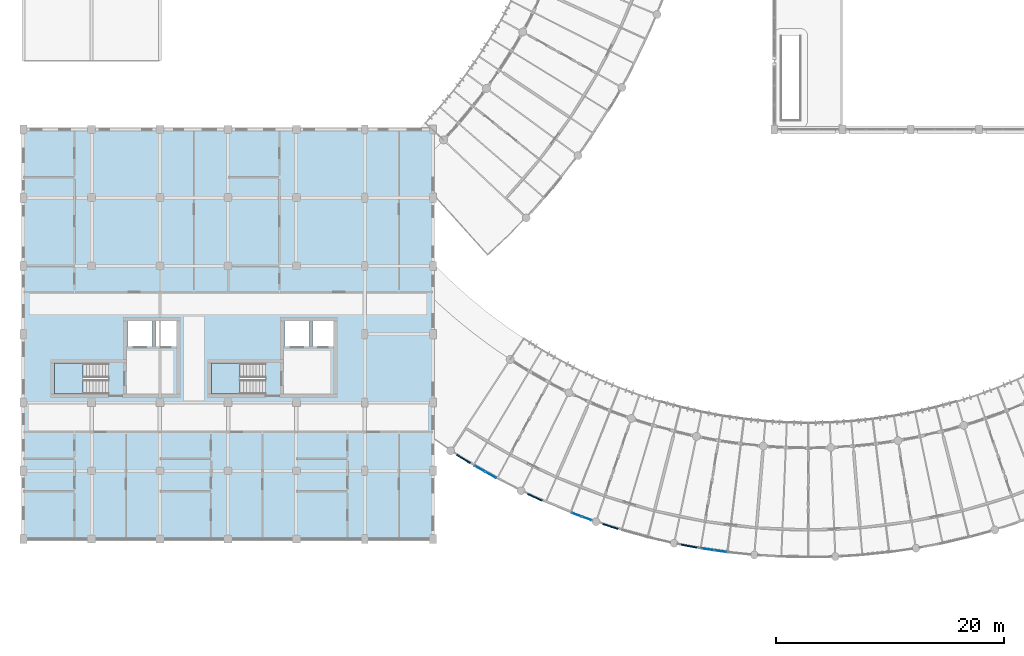
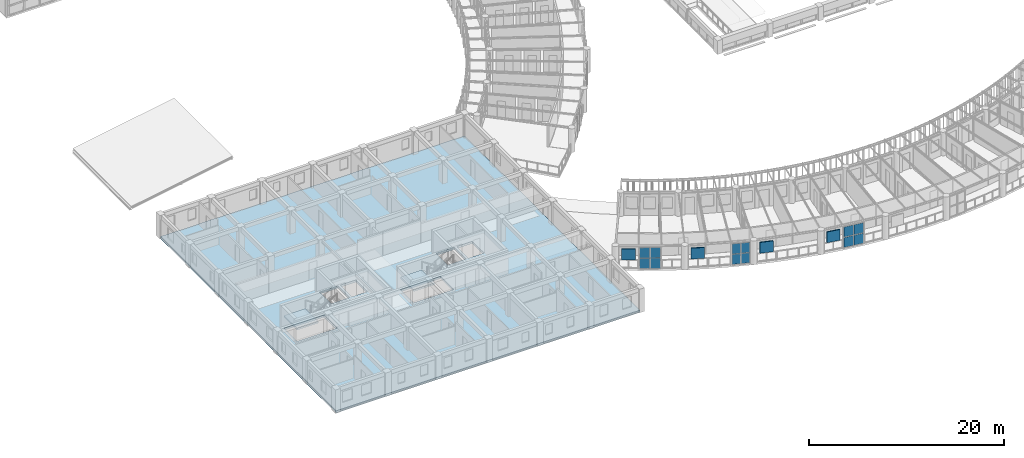
# One storey, part 74 of 137: 16 plates, 3 slabs, 5 elements without a shape of their own.
"""IFC4 building model written with IfcOpenShell, lengths in metres."""

from ifc_helpers import new_model, si_unit, direction, frame, origin, origin_2d, place, context, subcontext, project, spatial, polyline, rectangle, outline, extrude, material, layer, layer_set, type_object, element, aggregate, save


model = new_model("IFC4")

# Units and contexts
model_context = context("Model", 3, precision=1e-05, world=origin(), true_north=direction((0.0, 1.0)))
body_context = subcontext(model_context, "Body", "Model", "MODEL_VIEW")
ifc_project = project(units=[si_unit("LENGTHUNIT", "METRE"), si_unit("AREAUNIT", "SQUARE_METRE"), si_unit("VOLUMEUNIT", "CUBIC_METRE"), si_unit("PLANEANGLEUNIT", "RADIAN"), si_unit("MASSUNIT", "GRAM", prefix="KILO"), si_unit("POWERUNIT", "WATT"), si_unit("THERMODYNAMICTEMPERATUREUNIT", "KELVIN")], contexts=[model_context])

# Site, building, storey
site_placement = place(None, origin())
site = spatial("IfcSite", under=ifc_project, at=site_placement, CompositionType="ELEMENT")
building_placement = place(site_placement, origin())
building = spatial("IfcBuilding", under=site, at=building_placement, Name="Ruvembo Vaulted Housing Court", CompositionType="ELEMENT")
storey_placement = place(building_placement, frame((0.0, 0.0, 4.5)))
storey = spatial("IfcBuildingStorey", under=building, at=storey_placement, Name="L01", CompositionType="ELEMENT", Elevation=4.5)

# Curtain wall, plates
ifc_material_1 = material(Name="Anodised Aluminium and Solar-Control Glass", Category="aluminium")
ifc_layer_1 = layer(ifc_material_1, 0.1201171875, Name="Anodised Aluminium and Solar-Control Glass")
ifc_layer_set_1 = layer_set([ifc_layer_1], Name="Anodised Aluminium and Solar-Control Glass")
curtain_wall_type_1 = type_object("IfcCurtainWallType", Name="CW-SCOOP-GAL", PredefinedType="NOTDEFINED", material=ifc_layer_set_1)
curtain_wall_1_placement = place(storey_placement, origin())
curtain_wall_1 = element("IfcCurtainWall", 1, at=curtain_wall_1_placement, inside=storey, type_object=curtain_wall_type_1, Name="L01 Curtain Wall CW-L01-0030", PredefinedType="NOTDEFINED")
ifc_material_2 = material(Name="Solar-Control Laminated Insulating Glass", Category="glass")
ifc_layer_2 = layer(ifc_material_2, 0.035888671875, Name="Solar-Control Laminated Insulating Glass")
ifc_layer_set_2 = layer_set([ifc_layer_2], Name="Solar-Control Laminated Insulating Glass")
plate_type_1 = type_object("IfcPlateType", Name="CW-PANEL-ACOUST", PredefinedType="CURTAIN_PANEL", material=ifc_layer_set_2)
plate_1_placement = place(storey_placement, frame((48.62841796875, 8.132080078125, 0.06005859375), z_axis=(0.0, 0.0, 1.0), x_axis=(0.939141570025, -0.343530364672, 0.0)))
plate_1 = element("IfcPlate", 2, at=plate_1_placement, type_object=plate_type_1, Name="CW6 panel 1.1", PredefinedType="CURTAIN_PANEL", context=body_context, shape_type="SweptSolid", body=[
    extrude(rectangle(XDim=0.890380859375, YDim=0.035888671875, at=origin_2d()), origin(), (0.0, 0.0, 1.0), 1.259033203125),
])
plate_2_placement = place(storey_placement, frame((48.62841796875, 8.132080078125, 1.37890625), z_axis=(0.0, 0.0, 1.0), x_axis=(0.939141570025, -0.343530364672, 0.0)))
plate_2 = element("IfcPlate", 3, at=plate_2_placement, type_object=plate_type_1, Name="CW6 panel 1.2", PredefinedType="CURTAIN_PANEL", context=body_context, shape_type="SweptSolid", body=[
    extrude(rectangle(XDim=0.890380859375, YDim=0.035888671875, at=origin_2d()), origin(), (0.0, 0.0, 1.0), 1.259033203125),
])
plate_3_placement = place(storey_placement, frame((49.52587890625, 7.803955078125, 0.06005859375), z_axis=(0.0, 0.0, 1.0), x_axis=(0.939141570025, -0.343530364672, 0.0)))
plate_3 = element("IfcPlate", 4, at=plate_3_placement, type_object=plate_type_1, Name="CW6 panel 2.1", PredefinedType="CURTAIN_PANEL", context=body_context, shape_type="SweptSolid", body=[
    extrude(rectangle(XDim=0.890380859375, YDim=0.035888671875, at=origin_2d()), origin(), (0.0, 0.0, 1.0), 1.259033203125),
])
plate_4_placement = place(storey_placement, frame((49.52587890625, 7.803955078125, 1.37890625), z_axis=(0.0, 0.0, 1.0), x_axis=(0.939141570025, -0.343530364672, 0.0)))
plate_4 = element("IfcPlate", 5, at=plate_4_placement, type_object=plate_type_1, Name="CW6 panel 2.2", PredefinedType="CURTAIN_PANEL", context=body_context, shape_type="SweptSolid", body=[
    extrude(rectangle(XDim=0.890380859375, YDim=0.035888671875, at=origin_2d()), origin(), (0.0, 0.0, 1.0), 1.259033203125),
])
aggregate(curtain_wall_1, [plate_1, plate_2, plate_3, plate_4])

curtain_wall_2_placement = place(storey_placement, origin())
curtain_wall_2 = element("IfcCurtainWall", 6, at=curtain_wall_2_placement, inside=storey, type_object=curtain_wall_type_1, Name="L01 Curtain Wall CW-L01-0029", PredefinedType="NOTDEFINED")
ifc_layer_3 = layer(ifc_material_2, 0.028076171875, Name="Solar-Control Laminated Insulating Glass")
ifc_layer_set_3 = layer_set([ifc_layer_3], Name="Solar-Control Laminated Insulating Glass")
plate_type_2 = type_object("IfcPlateType", Name="CW-PANEL-GLAZED", PredefinedType="CURTAIN_PANEL", material=ifc_layer_set_3)
plate_5_placement = place(storey_placement, frame((40.120849609375, 12.173828125, 0.06005859375), z_axis=(0.0, 0.0, 1.0), x_axis=(0.869984489964, -0.493079088202, 0.0)))
plate_5 = element("IfcPlate", 7, at=plate_5_placement, type_object=plate_type_2, Name="CW6 panel 1.1", PredefinedType="CURTAIN_PANEL", context=body_context, shape_type="SweptSolid", body=[
    extrude(rectangle(XDim=1.0478515625, YDim=0.028076171875, at=origin_2d()), origin(), (0.0, 0.0, 1.0), 1.259033203125),
])
plate_6_placement = place(storey_placement, frame((40.120849609375, 12.173828125, 1.37890625), z_axis=(0.0, 0.0, 1.0), x_axis=(0.869984489964, -0.493079088202, 0.0)))
plate_6 = element("IfcPlate", 8, at=plate_6_placement, type_object=plate_type_2, Name="CW6 panel 1.2", PredefinedType="CURTAIN_PANEL", context=body_context, shape_type="SweptSolid", body=[
    extrude(rectangle(XDim=1.0478515625, YDim=0.028076171875, at=origin_2d()), origin(), (0.0, 0.0, 1.0), 1.259033203125),
])
plate_7_placement = place(storey_placement, frame((41.084716796875, 11.62744140625, 0.06005859375), z_axis=(0.0, 0.0, 1.0), x_axis=(0.869984489964, -0.493079088202, 0.0)))
plate_7 = element("IfcPlate", 9, at=plate_7_placement, type_object=plate_type_2, Name="CW6 panel 2.1", PredefinedType="CURTAIN_PANEL", context=body_context, shape_type="SweptSolid", body=[
    extrude(rectangle(XDim=1.0478515625, YDim=0.028076171875, at=origin_2d()), origin(), (0.0, 0.0, 1.0), 1.259033203125),
])
plate_8_placement = place(storey_placement, frame((41.084716796875, 11.62744140625, 1.37890625), z_axis=(0.0, 0.0, 1.0), x_axis=(0.869984489964, -0.493079088202, 0.0)))
plate_8 = element("IfcPlate", 10, at=plate_8_placement, type_object=plate_type_2, Name="CW6 panel 2.2", PredefinedType="CURTAIN_PANEL", context=body_context, shape_type="SweptSolid", body=[
    extrude(rectangle(XDim=1.0478515625, YDim=0.028076171875, at=origin_2d()), origin(), (0.0, 0.0, 1.0), 1.259033203125),
])
aggregate(curtain_wall_2, [plate_5, plate_6, plate_7, plate_8])

ifc_layer_4 = layer(ifc_material_1, 0.139892578125, Name="Anodised Aluminium and Solar-Control Glass")
ifc_layer_set_4 = layer_set([ifc_layer_4], Name="Anodised Aluminium and Solar-Control Glass")
curtain_wall_type_2 = type_object("IfcCurtainWallType", Name="CW-SCOOP-PAN", PredefinedType="NOTDEFINED", material=ifc_layer_set_4)
curtain_wall_3_placement = place(storey_placement, origin())
curtain_wall_3 = element("IfcCurtainWall", 11, at=curtain_wall_3_placement, inside=storey, type_object=curtain_wall_type_2, Name="L01 Curtain Wall CW-L01-0031", PredefinedType="NOTDEFINED")
ifc_layer_5 = layer(ifc_material_2, 0.031982421875, Name="Solar-Control Laminated Insulating Glass")
ifc_layer_set_5 = layer_set([ifc_layer_5], Name="Solar-Control Laminated Insulating Glass")
plate_type_3 = type_object("IfcPlateType", Name="CW-PANEL-SOLAR", PredefinedType="CURTAIN_PANEL", material=ifc_layer_set_5)
plate_9_placement = place(storey_placement, frame((60.16455078125, 5.09130859375, 0.06494140625), z_axis=(0.0, 0.0, 1.0), x_axis=(0.989599407362, -0.143850661969, 0.0)))
plate_9 = element("IfcPlate", 12, at=plate_9_placement, type_object=plate_type_3, Name="CW10 panel 1.1", PredefinedType="CURTAIN_PANEL", context=body_context, shape_type="SweptSolid", body=[
    extrude(rectangle(XDim=1.055419921875, YDim=0.031982421875, at=origin_2d()), origin(), (0.0, 0.0, 1.0), 1.25146484375),
])
plate_10_placement = place(storey_placement, frame((60.16455078125, 5.09130859375, 1.381591796875), z_axis=(0.0, 0.0, 1.0), x_axis=(0.989599407362, -0.143850661969, 0.0)))
plate_10 = element("IfcPlate", 13, at=plate_10_placement, type_object=plate_type_3, Name="CW10 panel 1.2", PredefinedType="CURTAIN_PANEL", context=body_context, shape_type="SweptSolid", body=[
    extrude(rectangle(XDim=1.055419921875, YDim=0.031982421875, at=origin_2d()), origin(), (0.0, 0.0, 1.0), 1.25146484375),
])
plate_11_placement = place(storey_placement, frame((61.263427734375, 4.931640625, 0.06494140625), z_axis=(0.0, 0.0, 1.0), x_axis=(0.989599407362, -0.143850661969, 0.0)))
plate_11 = element("IfcPlate", 14, at=plate_11_placement, type_object=plate_type_3, Name="CW10 panel 2.1", PredefinedType="CURTAIN_PANEL", context=body_context, shape_type="SweptSolid", body=[
    extrude(rectangle(XDim=1.055419921875, YDim=0.031982421875, at=origin_2d()), origin(), (0.0, 0.0, 1.0), 1.25146484375),
])
plate_12_placement = place(storey_placement, frame((61.263427734375, 4.931640625, 1.381591796875), z_axis=(0.0, 0.0, 1.0), x_axis=(0.989599407362, -0.143850661969, 0.0)))
plate_12 = element("IfcPlate", 15, at=plate_12_placement, type_object=plate_type_3, Name="CW10 panel 2.2", PredefinedType="CURTAIN_PANEL", context=body_context, shape_type="SweptSolid", body=[
    extrude(rectangle(XDim=1.055419921875, YDim=0.031982421875, at=origin_2d()), origin(), (0.0, 0.0, 1.0), 1.25146484375),
])
aggregate(curtain_wall_3, [plate_9, plate_10, plate_11, plate_12])

# Plates
ifc_material_3 = material(Name="Perforated Glazed Ceramic Cobogo Block", Category="ceramic")
ifc_layer_6 = layer(ifc_material_3, 0.1201171875, Name="Perforated Glazed Ceramic Cobogo Block")
ifc_layer_set_6 = layer_set([ifc_layer_6], Name="Perforated Glazed Ceramic Cobogo Block")
plate_type_4 = type_object("IfcPlateType", Name="PL-COBOGO-120", PredefinedType="USERDEFINED", material=ifc_layer_set_6)
for number, where, z_axis, x_axis, name in (
    (16, (38.68798828125, 13.03515625, 1.1201171875), (0.0, 0.0, 1.0), (0.848888670256, -0.528571684363, 0.0), "Scoop SC2 L01 Ceramic Cobogo Screen #31"),
    (17, (44.964111328125, 9.66796875, 1.1201171875), (0.0, 0.0, 1.0), (0.90764565898, -0.419737248448, 0.0), "Scoop SC2 L01 Ceramic Cobogo Screen #32"),
    (18, (51.608154296875, 7.10107421875, 1.1201171875), (0.0, 0.0, 1.0), (0.952523417345, -0.304465333674, 0.0), "Scoop SC2 L01 Ceramic Cobogo Screen #33"),
    (19, (58.51806640625, 5.3740234375, 1.1201171875), (0.0, 0.0, 1.0), (0.982816353606, -0.184586064165, 0.0), "Scoop SC2 L01 Ceramic Cobogo Screen #34"),
):
    element("IfcPlate", number, at=place(storey_placement, frame(where, z_axis=z_axis, x_axis=x_axis)), inside=storey, type_object=plate_type_4, Name=name, ObjectType="COBOGO_PANEL", PredefinedType="USERDEFINED", context=body_context, shape_type="SweptSolid", body=[
        extrude(rectangle(XDim=1.39990234375, YDim=0.1201171875, at=origin_2d()), origin(), (0.0, 0.0, 1.0), 1.360107421875),
    ])

# Slab
ifc_material_4 = material(Name="Concrete C30/37", Category="concrete")
ifc_layer_7 = layer(ifc_material_4, 0.27001953125, Name="Concrete C30/37")
ifc_layer_set_7 = layer_set([ifc_layer_7], Name="Concrete C30/37")
slab_type_1 = type_object("IfcSlabType", Name="SL-FLR-270", PredefinedType="FLOOR", material=ifc_layer_set_7)
slab_1_placement = place(storey_placement, frame((0.0, 0.0, -0.27001953125)))
element("IfcSlab", 20, at=slab_1_placement, inside=storey, type_object=slab_type_1, Name="Block A L01 Structural Floor Slab", PredefinedType="FLOOR", context=body_context, shape_type="SweptSolid", body=[
    extrude(outline(polyline([(36.0, 6.0), (36.0, 42.0), (0.0, 42.0), (0.0, 6.0), (36.0, 6.0)]), holes=[polyline([(7.5, 21.449951171875), (2.75, 21.449951171875), (2.75, 18.75), (7.5, 18.75), (7.5, 21.449951171875)]), polyline([(9.14990234375, 22.85009765625), (11.35009765625, 22.85009765625), (11.35009765625, 25.25), (9.14990234375, 25.25), (9.14990234375, 22.85009765625)]), polyline([(11.60009765625, 22.85009765625), (13.449951171875, 22.85009765625), (13.449951171875, 25.25), (11.60009765625, 25.25), (11.60009765625, 22.85009765625)]), polyline([(21.300048828125, 21.449951171875), (16.550048828125, 21.449951171875), (16.550048828125, 18.75), (21.300048828125, 18.75), (21.300048828125, 21.449951171875)]), polyline([(22.949951171875, 22.85009765625), (25.14990234375, 22.85009765625), (25.14990234375, 25.25), (22.949951171875, 25.25), (22.949951171875, 22.85009765625)]), polyline([(25.39990234375, 22.85009765625), (27.25, 22.85009765625), (27.25, 25.25), (25.39990234375, 25.25), (25.39990234375, 22.85009765625)])]), origin(), (0.0, 0.0, 1.0), 0.27001953125),
])

# Stair, slab
ifc_material_5 = material(Name="Concrete C35/45", Category="concrete")
stair_type = type_object("IfcStairType", Name="STR-CORE-1250", PredefinedType="HALF_TURN_STAIR", material=ifc_material_5)
stair_1_placement = place(storey_placement, origin())
stair_1 = element("IfcStair", 21, at=stair_1_placement, inside=storey, type_object=stair_type, Name="L01 Protected Exit Stair ST-A1", PredefinedType="HALF_TURN_STAIR")
ifc_layer_8 = layer(ifc_material_4, 0.201904296875, Name="Concrete C30/37")
ifc_layer_set_8 = layer_set([ifc_layer_8], Name="Concrete C30/37")
slab_type_2 = type_object("IfcSlabType", Name="SL-LAND-202", PredefinedType="LANDING", material=ifc_layer_set_8)
slab_2_placement = place(storey_placement, frame((0.0, 0.0, 1.39990234375)))
slab_2 = element("IfcSlab", 22, at=slab_2_placement, type_object=slab_type_2, Name="ST-A1 landing 1", PredefinedType="LANDING", context=body_context, shape_type="SweptSolid", body=[
    extrude(outline(polyline([(5.260009765625, 21.449951171875), (2.75, 21.449951171875), (2.75, 18.75), (5.260009765625, 18.75), (5.260009765625, 21.449951171875)])), origin(), (0.0, 0.0, 1.0), 0.2001953125),
])
aggregate(stair_1, [slab_2])

stair_2_placement = place(storey_placement, origin())
stair_2 = element("IfcStair", 23, at=stair_2_placement, inside=storey, type_object=stair_type, Name="L01 Protected Exit Stair ST-A2", PredefinedType="HALF_TURN_STAIR")
slab_3_placement = place(storey_placement, frame((0.0, 0.0, 1.39990234375)))
slab_3 = element("IfcSlab", 24, at=slab_3_placement, type_object=slab_type_2, Name="ST-A2 landing 1", PredefinedType="LANDING", context=body_context, shape_type="SweptSolid", body=[
    extrude(outline(polyline([(19.06005859375, 21.449951171875), (16.550048828125, 21.449951171875), (16.550048828125, 18.75), (19.06005859375, 18.75), (19.06005859375, 21.449951171875)])), origin(), (0.0, 0.0, 1.0), 0.2001953125),
])
aggregate(stair_2, [slab_3])

save(model, "model.ifc")
